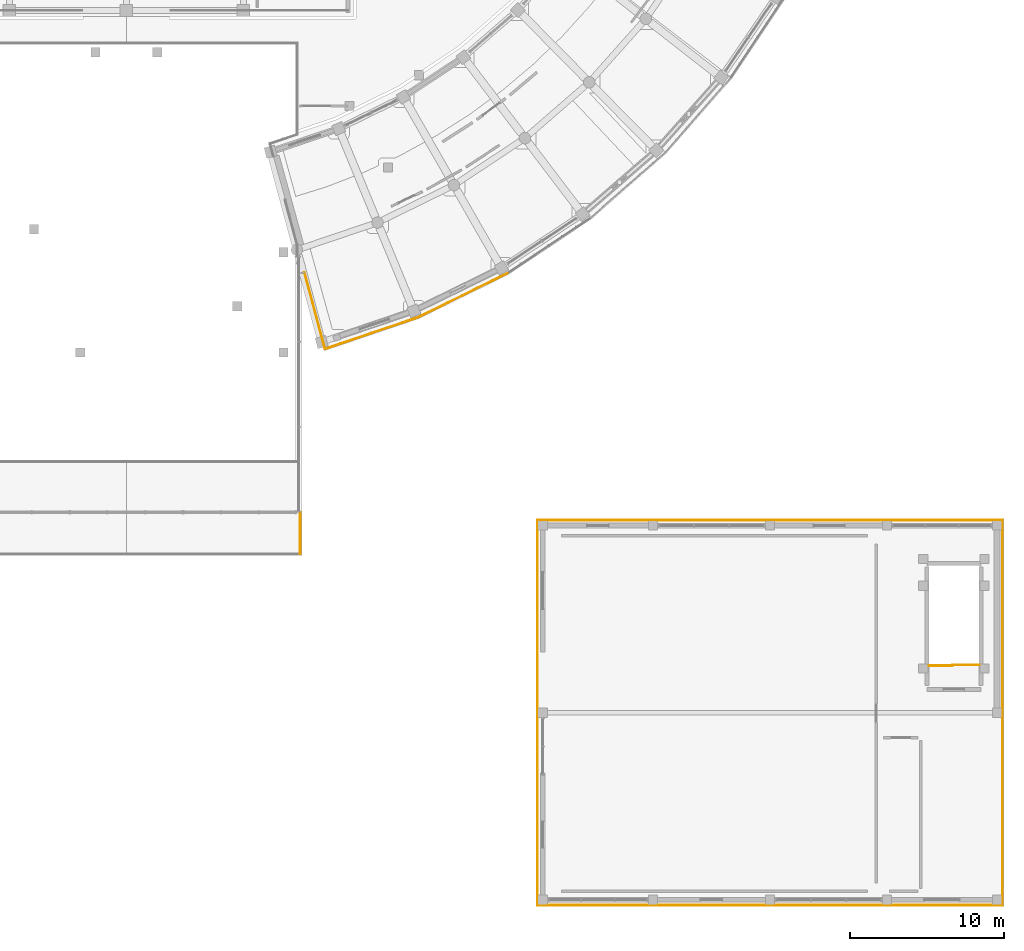
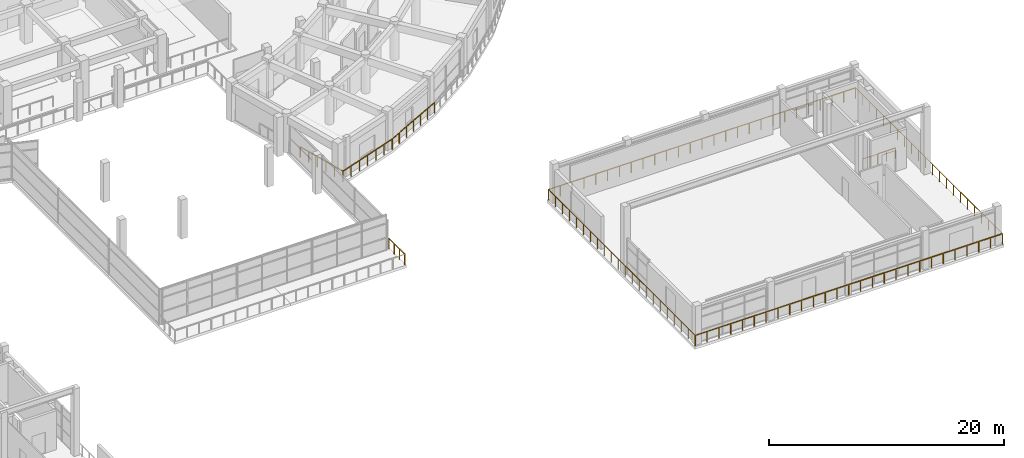
# One storey, part 72 of 87: 10 railings.
"""IFC4 building model written with IfcOpenShell, lengths in metres."""

from ifc_helpers import new_model, si_unit, direction, frame, origin, origin_2d, place, context, subcontext, project, spatial, rectangle, extrude, material, layer, layer_set, type_object, element, save


model = new_model("IFC4")

# Units and contexts
model_context = context("Model", 3, precision=1e-05, world=origin(), true_north=direction((0.0, 1.0)))
body_context = subcontext(model_context, "Body", "Model", "MODEL_VIEW")
ifc_project = project(units=[si_unit("LENGTHUNIT", "METRE"), si_unit("AREAUNIT", "SQUARE_METRE"), si_unit("VOLUMEUNIT", "CUBIC_METRE"), si_unit("PLANEANGLEUNIT", "RADIAN"), si_unit("MASSUNIT", "GRAM", prefix="KILO")], contexts=[model_context])

# Site, building, storey
site_placement = place(None, origin())
site = spatial("IfcSite", under=ifc_project, at=site_placement, CompositionType="ELEMENT")
building_placement = place(site_placement, origin())
building = spatial("IfcBuilding", under=site, at=building_placement, Name="Saryqyr Civic Hall", CompositionType="ELEMENT")
storey_placement = place(building_placement, frame((0.0, 0.0, 5.10009765625)))
storey = spatial("IfcBuildingStorey", under=building, at=storey_placement, Name="L01", CompositionType="ELEMENT", Elevation=5.10009765625)

# Railings
ifc_material = material(Name="Warm brushed brass and laminated glass", Category="glass")
ifc_layer = layer(ifc_material, 0.06005859375, Name="Warm brushed brass and laminated glass")
ifc_layer_set = layer_set([ifc_layer], Name="Warm brushed brass and laminated glass")
railing_type = type_object("IfcRailingType", Name="INT-RLG-BAL-1100", PredefinedType="BALUSTRADE", material=ifc_layer_set)
railing_1_placement = place(storey_placement, frame((112.39990234375, 15.699951171875, 0.0)))
element("IfcRailing", 1, at=railing_1_placement, inside=storey, type_object=railing_type, Name="L01 ST-8 top well guard 1", PredefinedType="BALUSTRADE", context=body_context, shape_type="SweptSolid", body=[
    extrude(rectangle(XDim=0.048095703125, YDim=0.048095703125, at=origin_2d()), frame((0.0, 0.0, 1.076171875), z_axis=(-1.0, 0.0, 0.0), x_axis=(0.0, -1.0, 0.0)), (0.0, 0.0, 1.0), 1.75),
    extrude(rectangle(XDim=0.0419921875, YDim=0.0419921875, at=origin_2d()), origin(), (0.0, 0.0, 1.0), 1.052001953125),
    extrude(rectangle(XDim=0.0419921875, YDim=0.0419921875, at=origin_2d()), frame((-0.875, 0.0, 0.0)), (0.0, 0.0, 1.0), 1.052001953125),
    extrude(rectangle(XDim=0.0419921875, YDim=0.0419921875, at=origin_2d()), frame((-1.75, 0.0, 0.0)), (0.0, 0.0, 1.0), 1.052001953125),
])
railing_2_placement = place(storey_placement, frame((113.89990234375, 25.10009765625, 0.0)))
element("IfcRailing", 2, at=railing_2_placement, inside=storey, type_object=railing_type, Name="Interior deck safety balustrade L01-001", PredefinedType="BALUSTRADE", context=body_context, shape_type="SweptSolid", body=[
    extrude(rectangle(XDim=0.048095703125, YDim=0.048095703125, at=origin_2d()), frame((0.0, 0.0, 1.09619140625), z_axis=(0.0, -1.0, 0.0), x_axis=(1.0, 0.0, 0.0)), (0.0, 0.0, 1.0), 25.0),
    extrude(rectangle(XDim=0.0419921875, YDim=0.0419921875, at=origin_2d()), origin(), (0.0, 0.0, 1.0), 1.072021484375),
    extrude(rectangle(XDim=0.0419921875, YDim=0.0419921875, at=origin_2d()), frame((0.0, -1.1904296875, 0.0)), (0.0, 0.0, 1.0), 1.072021484375),
    extrude(rectangle(XDim=0.0419921875, YDim=0.0419921875, at=origin_2d()), frame((0.0, -2.380859375, 0.0)), (0.0, 0.0, 1.0), 1.072021484375),
    extrude(rectangle(XDim=0.0419921875, YDim=0.0419921875, at=origin_2d()), frame((0.0, -3.571533203125, 0.0)), (0.0, 0.0, 1.0), 1.072021484375),
    extrude(rectangle(XDim=0.0419921875, YDim=0.0419921875, at=origin_2d()), frame((0.0, -4.761962890625, 0.0)), (0.0, 0.0, 1.0), 1.072021484375),
    extrude(rectangle(XDim=0.0419921875, YDim=0.0419921875, at=origin_2d()), frame((0.0, -5.952392578125, 0.0)), (0.0, 0.0, 1.0), 1.072021484375),
    extrude(rectangle(XDim=0.0419921875, YDim=0.0419921875, at=origin_2d()), frame((0.0, -7.142822265625, 0.0)), (0.0, 0.0, 1.0), 1.072021484375),
    extrude(rectangle(XDim=0.0419921875, YDim=0.0419921875, at=origin_2d()), frame((0.0, -8.333251953125, 0.0)), (0.0, 0.0, 1.0), 1.072021484375),
    extrude(rectangle(XDim=0.0419921875, YDim=0.0419921875, at=origin_2d()), frame((0.0, -9.52392578125, 0.0)), (0.0, 0.0, 1.0), 1.072021484375),
    extrude(rectangle(XDim=0.0419921875, YDim=0.0419921875, at=origin_2d()), frame((0.0, -10.71435546875, 0.0)), (0.0, 0.0, 1.0), 1.072021484375),
    extrude(rectangle(XDim=0.0419921875, YDim=0.0419921875, at=origin_2d()), frame((0.0, -11.90478515625, 0.0)), (0.0, 0.0, 1.0), 1.072021484375),
    extrude(rectangle(XDim=0.0419921875, YDim=0.0419921875, at=origin_2d()), frame((0.0, -13.09521484375, 0.0)), (0.0, 0.0, 1.0), 1.072021484375),
    extrude(rectangle(XDim=0.0419921875, YDim=0.0419921875, at=origin_2d()), frame((0.0, -14.28564453125, 0.0)), (0.0, 0.0, 1.0), 1.072021484375),
    extrude(rectangle(XDim=0.0419921875, YDim=0.0419921875, at=origin_2d()), frame((0.0, -15.47607421875, 0.0)), (0.0, 0.0, 1.0), 1.072021484375),
    extrude(rectangle(XDim=0.0419921875, YDim=0.0419921875, at=origin_2d()), frame((0.0, -16.666748046875, 0.0)), (0.0, 0.0, 1.0), 1.072021484375),
    extrude(rectangle(XDim=0.0419921875, YDim=0.0419921875, at=origin_2d()), frame((0.0, -17.857177734375, 0.0)), (0.0, 0.0, 1.0), 1.072021484375),
    extrude(rectangle(XDim=0.0419921875, YDim=0.0419921875, at=origin_2d()), frame((0.0, -19.047607421875, 0.0)), (0.0, 0.0, 1.0), 1.072021484375),
    extrude(rectangle(XDim=0.0419921875, YDim=0.0419921875, at=origin_2d()), frame((0.0, -20.238037109375, 0.0)), (0.0, 0.0, 1.0), 1.072021484375),
    extrude(rectangle(XDim=0.0419921875, YDim=0.0419921875, at=origin_2d()), frame((0.0, -21.428466796875, 0.0)), (0.0, 0.0, 1.0), 1.072021484375),
    extrude(rectangle(XDim=0.0419921875, YDim=0.0419921875, at=origin_2d()), frame((0.0, -22.619140625, 0.0)), (0.0, 0.0, 1.0), 1.072021484375),
    extrude(rectangle(XDim=0.0419921875, YDim=0.0419921875, at=origin_2d()), frame((0.0, -23.8095703125, 0.0)), (0.0, 0.0, 1.0), 1.072021484375),
    extrude(rectangle(XDim=0.0419921875, YDim=0.0419921875, at=origin_2d()), frame((0.0, -25.0, 0.0)), (0.0, 0.0, 1.0), 1.072021484375),
])
railing_3_placement = place(storey_placement, frame((113.89990234375, 0.10009765625, 0.0)))
element("IfcRailing", 3, at=railing_3_placement, inside=storey, type_object=railing_type, Name="Interior deck safety balustrade L01-002", PredefinedType="BALUSTRADE", context=body_context, shape_type="SweptSolid", body=[
    extrude(rectangle(XDim=0.048095703125, YDim=0.048095703125, at=origin_2d()), frame((0.0, 0.0, 1.09619140625), z_axis=(-1.0, 0.0, 0.0), x_axis=(0.0, -1.0, 0.0)), (0.0, 0.0, 1.0), 30.199951171875),
    extrude(rectangle(XDim=0.0419921875, YDim=0.0419921875, at=origin_2d()), origin(), (0.0, 0.0, 1.0), 1.072021484375),
    extrude(rectangle(XDim=0.0419921875, YDim=0.0419921875, at=origin_2d()), frame((-1.16162109375, 0.0, 0.0)), (0.0, 0.0, 1.0), 1.072021484375),
    extrude(rectangle(XDim=0.0419921875, YDim=0.0419921875, at=origin_2d()), frame((-2.322998046875, 0.0, 0.0)), (0.0, 0.0, 1.0), 1.072021484375),
    extrude(rectangle(XDim=0.0419921875, YDim=0.0419921875, at=origin_2d()), frame((-3.484619140625, 0.0, 0.0)), (0.0, 0.0, 1.0), 1.072021484375),
    extrude(rectangle(XDim=0.0419921875, YDim=0.0419921875, at=origin_2d()), frame((-4.646240234375, 0.0, 0.0)), (0.0, 0.0, 1.0), 1.072021484375),
    extrude(rectangle(XDim=0.0419921875, YDim=0.0419921875, at=origin_2d()), frame((-5.8076171875, 0.0, 0.0)), (0.0, 0.0, 1.0), 1.072021484375),
    extrude(rectangle(XDim=0.0419921875, YDim=0.0419921875, at=origin_2d()), frame((-6.96923828125, 0.0, 0.0)), (0.0, 0.0, 1.0), 1.072021484375),
    extrude(rectangle(XDim=0.0419921875, YDim=0.0419921875, at=origin_2d()), frame((-8.130859375, 0.0, 0.0)), (0.0, 0.0, 1.0), 1.072021484375),
    extrude(rectangle(XDim=0.0419921875, YDim=0.0419921875, at=origin_2d()), frame((-9.292236328125, 0.0, 0.0)), (0.0, 0.0, 1.0), 1.072021484375),
    extrude(rectangle(XDim=0.0419921875, YDim=0.0419921875, at=origin_2d()), frame((-10.453857421875, 0.0, 0.0)), (0.0, 0.0, 1.0), 1.072021484375),
    extrude(rectangle(XDim=0.0419921875, YDim=0.0419921875, at=origin_2d()), frame((-11.615478515625, 0.0, 0.0)), (0.0, 0.0, 1.0), 1.072021484375),
    extrude(rectangle(XDim=0.0419921875, YDim=0.0419921875, at=origin_2d()), frame((-12.77685546875, 0.0, 0.0)), (0.0, 0.0, 1.0), 1.072021484375),
    extrude(rectangle(XDim=0.0419921875, YDim=0.0419921875, at=origin_2d()), frame((-13.9384765625, 0.0, 0.0)), (0.0, 0.0, 1.0), 1.072021484375),
    extrude(rectangle(XDim=0.0419921875, YDim=0.0419921875, at=origin_2d()), frame((-15.10009765625, 0.0, 0.0)), (0.0, 0.0, 1.0), 1.072021484375),
    extrude(rectangle(XDim=0.0419921875, YDim=0.0419921875, at=origin_2d()), frame((-16.261474609375, 0.0, 0.0)), (0.0, 0.0, 1.0), 1.072021484375),
    extrude(rectangle(XDim=0.0419921875, YDim=0.0419921875, at=origin_2d()), frame((-17.423095703125, 0.0, 0.0)), (0.0, 0.0, 1.0), 1.072021484375),
    extrude(rectangle(XDim=0.0419921875, YDim=0.0419921875, at=origin_2d()), frame((-18.58447265625, 0.0, 0.0)), (0.0, 0.0, 1.0), 1.072021484375),
    extrude(rectangle(XDim=0.0419921875, YDim=0.0419921875, at=origin_2d()), frame((-19.74609375, 0.0, 0.0)), (0.0, 0.0, 1.0), 1.072021484375),
    extrude(rectangle(XDim=0.0419921875, YDim=0.0419921875, at=origin_2d()), frame((-20.90771484375, 0.0, 0.0)), (0.0, 0.0, 1.0), 1.072021484375),
    extrude(rectangle(XDim=0.0419921875, YDim=0.0419921875, at=origin_2d()), frame((-22.069091796875, 0.0, 0.0)), (0.0, 0.0, 1.0), 1.072021484375),
    extrude(rectangle(XDim=0.0419921875, YDim=0.0419921875, at=origin_2d()), frame((-23.230712890625, 0.0, 0.0)), (0.0, 0.0, 1.0), 1.072021484375),
    extrude(rectangle(XDim=0.0419921875, YDim=0.0419921875, at=origin_2d()), frame((-24.392333984375, 0.0, 0.0)), (0.0, 0.0, 1.0), 1.072021484375),
    extrude(rectangle(XDim=0.0419921875, YDim=0.0419921875, at=origin_2d()), frame((-25.5537109375, 0.0, 0.0)), (0.0, 0.0, 1.0), 1.072021484375),
    extrude(rectangle(XDim=0.0419921875, YDim=0.0419921875, at=origin_2d()), frame((-26.71533203125, 0.0, 0.0)), (0.0, 0.0, 1.0), 1.072021484375),
    extrude(rectangle(XDim=0.0419921875, YDim=0.0419921875, at=origin_2d()), frame((-27.876953125, 0.0, 0.0)), (0.0, 0.0, 1.0), 1.072021484375),
    extrude(rectangle(XDim=0.0419921875, YDim=0.0419921875, at=origin_2d()), frame((-29.038330078125, 0.0, 0.0)), (0.0, 0.0, 1.0), 1.072021484375),
    extrude(rectangle(XDim=0.0419921875, YDim=0.0419921875, at=origin_2d()), frame((-30.199951171875, 0.0, 0.0)), (0.0, 0.0, 1.0), 1.072021484375),
])
railing_4_placement = place(storey_placement, frame((83.699951171875, 0.10009765625, 0.0)))
element("IfcRailing", 4, at=railing_4_placement, inside=storey, type_object=railing_type, Name="Interior deck safety balustrade L01-003", PredefinedType="BALUSTRADE", context=body_context, shape_type="SweptSolid", body=[
    extrude(rectangle(XDim=0.048095703125, YDim=0.048095703125, at=origin_2d()), frame((0.0, 0.0, 1.09619140625), z_axis=(0.0, 1.0, 0.0), x_axis=(-1.0, 0.0, 0.0)), (0.0, 0.0, 1.0), 25.0),
    extrude(rectangle(XDim=0.0419921875, YDim=0.0419921875, at=origin_2d()), origin(), (0.0, 0.0, 1.0), 1.072021484375),
    extrude(rectangle(XDim=0.0419921875, YDim=0.0419921875, at=origin_2d()), frame((0.0, 1.1904296875, 0.0)), (0.0, 0.0, 1.0), 1.072021484375),
    extrude(rectangle(XDim=0.0419921875, YDim=0.0419921875, at=origin_2d()), frame((0.0, 2.380859375, 0.0)), (0.0, 0.0, 1.0), 1.072021484375),
    extrude(rectangle(XDim=0.0419921875, YDim=0.0419921875, at=origin_2d()), frame((0.0, 3.571533203125, 0.0)), (0.0, 0.0, 1.0), 1.072021484375),
    extrude(rectangle(XDim=0.0419921875, YDim=0.0419921875, at=origin_2d()), frame((0.0, 4.761962890625, 0.0)), (0.0, 0.0, 1.0), 1.072021484375),
    extrude(rectangle(XDim=0.0419921875, YDim=0.0419921875, at=origin_2d()), frame((0.0, 5.952392578125, 0.0)), (0.0, 0.0, 1.0), 1.072021484375),
    extrude(rectangle(XDim=0.0419921875, YDim=0.0419921875, at=origin_2d()), frame((0.0, 7.142822265625, 0.0)), (0.0, 0.0, 1.0), 1.072021484375),
    extrude(rectangle(XDim=0.0419921875, YDim=0.0419921875, at=origin_2d()), frame((0.0, 8.333251953125, 0.0)), (0.0, 0.0, 1.0), 1.072021484375),
    extrude(rectangle(XDim=0.0419921875, YDim=0.0419921875, at=origin_2d()), frame((0.0, 9.52392578125, 0.0)), (0.0, 0.0, 1.0), 1.072021484375),
    extrude(rectangle(XDim=0.0419921875, YDim=0.0419921875, at=origin_2d()), frame((0.0, 10.71435546875, 0.0)), (0.0, 0.0, 1.0), 1.072021484375),
    extrude(rectangle(XDim=0.0419921875, YDim=0.0419921875, at=origin_2d()), frame((0.0, 11.90478515625, 0.0)), (0.0, 0.0, 1.0), 1.072021484375),
    extrude(rectangle(XDim=0.0419921875, YDim=0.0419921875, at=origin_2d()), frame((0.0, 13.09521484375, 0.0)), (0.0, 0.0, 1.0), 1.072021484375),
    extrude(rectangle(XDim=0.0419921875, YDim=0.0419921875, at=origin_2d()), frame((0.0, 14.28564453125, 0.0)), (0.0, 0.0, 1.0), 1.072021484375),
    extrude(rectangle(XDim=0.0419921875, YDim=0.0419921875, at=origin_2d()), frame((0.0, 15.47607421875, 0.0)), (0.0, 0.0, 1.0), 1.072021484375),
    extrude(rectangle(XDim=0.0419921875, YDim=0.0419921875, at=origin_2d()), frame((0.0, 16.666748046875, 0.0)), (0.0, 0.0, 1.0), 1.072021484375),
    extrude(rectangle(XDim=0.0419921875, YDim=0.0419921875, at=origin_2d()), frame((0.0, 17.857177734375, 0.0)), (0.0, 0.0, 1.0), 1.072021484375),
    extrude(rectangle(XDim=0.0419921875, YDim=0.0419921875, at=origin_2d()), frame((0.0, 19.047607421875, 0.0)), (0.0, 0.0, 1.0), 1.072021484375),
    extrude(rectangle(XDim=0.0419921875, YDim=0.0419921875, at=origin_2d()), frame((0.0, 20.238037109375, 0.0)), (0.0, 0.0, 1.0), 1.072021484375),
    extrude(rectangle(XDim=0.0419921875, YDim=0.0419921875, at=origin_2d()), frame((0.0, 21.428466796875, 0.0)), (0.0, 0.0, 1.0), 1.072021484375),
    extrude(rectangle(XDim=0.0419921875, YDim=0.0419921875, at=origin_2d()), frame((0.0, 22.619140625, 0.0)), (0.0, 0.0, 1.0), 1.072021484375),
    extrude(rectangle(XDim=0.0419921875, YDim=0.0419921875, at=origin_2d()), frame((0.0, 23.8095703125, 0.0)), (0.0, 0.0, 1.0), 1.072021484375),
    extrude(rectangle(XDim=0.0419921875, YDim=0.0419921875, at=origin_2d()), frame((0.0, 25.0, 0.0)), (0.0, 0.0, 1.0), 1.072021484375),
])
railing_5_placement = place(storey_placement, frame((83.699951171875, 25.10009765625, 0.0)))
element("IfcRailing", 5, at=railing_5_placement, inside=storey, type_object=railing_type, Name="Interior deck safety balustrade L01-004", PredefinedType="BALUSTRADE", context=body_context, shape_type="SweptSolid", body=[
    extrude(rectangle(XDim=0.048095703125, YDim=0.048095703125, at=origin_2d()), frame((0.0, 0.0, 1.09619140625), z_axis=(1.0, 0.0, 0.0), x_axis=(0.0, 1.0, 0.0)), (0.0, 0.0, 1.0), 30.199951171875),
    extrude(rectangle(XDim=0.0419921875, YDim=0.0419921875, at=origin_2d()), origin(), (0.0, 0.0, 1.0), 1.072021484375),
    extrude(rectangle(XDim=0.0419921875, YDim=0.0419921875, at=origin_2d()), frame((1.16162109375, 0.0, 0.0)), (0.0, 0.0, 1.0), 1.072021484375),
    extrude(rectangle(XDim=0.0419921875, YDim=0.0419921875, at=origin_2d()), frame((2.322998046875, 0.0, 0.0)), (0.0, 0.0, 1.0), 1.072021484375),
    extrude(rectangle(XDim=0.0419921875, YDim=0.0419921875, at=origin_2d()), frame((3.484619140625, 0.0, 0.0)), (0.0, 0.0, 1.0), 1.072021484375),
    extrude(rectangle(XDim=0.0419921875, YDim=0.0419921875, at=origin_2d()), frame((4.646240234375, 0.0, 0.0)), (0.0, 0.0, 1.0), 1.072021484375),
    extrude(rectangle(XDim=0.0419921875, YDim=0.0419921875, at=origin_2d()), frame((5.8076171875, 0.0, 0.0)), (0.0, 0.0, 1.0), 1.072021484375),
    extrude(rectangle(XDim=0.0419921875, YDim=0.0419921875, at=origin_2d()), frame((6.96923828125, 0.0, 0.0)), (0.0, 0.0, 1.0), 1.072021484375),
    extrude(rectangle(XDim=0.0419921875, YDim=0.0419921875, at=origin_2d()), frame((8.130859375, 0.0, 0.0)), (0.0, 0.0, 1.0), 1.072021484375),
    extrude(rectangle(XDim=0.0419921875, YDim=0.0419921875, at=origin_2d()), frame((9.292236328125, 0.0, 0.0)), (0.0, 0.0, 1.0), 1.072021484375),
    extrude(rectangle(XDim=0.0419921875, YDim=0.0419921875, at=origin_2d()), frame((10.453857421875, 0.0, 0.0)), (0.0, 0.0, 1.0), 1.072021484375),
    extrude(rectangle(XDim=0.0419921875, YDim=0.0419921875, at=origin_2d()), frame((11.615478515625, 0.0, 0.0)), (0.0, 0.0, 1.0), 1.072021484375),
    extrude(rectangle(XDim=0.0419921875, YDim=0.0419921875, at=origin_2d()), frame((12.77685546875, 0.0, 0.0)), (0.0, 0.0, 1.0), 1.072021484375),
    extrude(rectangle(XDim=0.0419921875, YDim=0.0419921875, at=origin_2d()), frame((13.9384765625, 0.0, 0.0)), (0.0, 0.0, 1.0), 1.072021484375),
    extrude(rectangle(XDim=0.0419921875, YDim=0.0419921875, at=origin_2d()), frame((15.10009765625, 0.0, 0.0)), (0.0, 0.0, 1.0), 1.072021484375),
    extrude(rectangle(XDim=0.0419921875, YDim=0.0419921875, at=origin_2d()), frame((16.261474609375, 0.0, 0.0)), (0.0, 0.0, 1.0), 1.072021484375),
    extrude(rectangle(XDim=0.0419921875, YDim=0.0419921875, at=origin_2d()), frame((17.423095703125, 0.0, 0.0)), (0.0, 0.0, 1.0), 1.072021484375),
    extrude(rectangle(XDim=0.0419921875, YDim=0.0419921875, at=origin_2d()), frame((18.58447265625, 0.0, 0.0)), (0.0, 0.0, 1.0), 1.072021484375),
    extrude(rectangle(XDim=0.0419921875, YDim=0.0419921875, at=origin_2d()), frame((19.74609375, 0.0, 0.0)), (0.0, 0.0, 1.0), 1.072021484375),
    extrude(rectangle(XDim=0.0419921875, YDim=0.0419921875, at=origin_2d()), frame((20.90771484375, 0.0, 0.0)), (0.0, 0.0, 1.0), 1.072021484375),
    extrude(rectangle(XDim=0.0419921875, YDim=0.0419921875, at=origin_2d()), frame((22.069091796875, 0.0, 0.0)), (0.0, 0.0, 1.0), 1.072021484375),
    extrude(rectangle(XDim=0.0419921875, YDim=0.0419921875, at=origin_2d()), frame((23.230712890625, 0.0, 0.0)), (0.0, 0.0, 1.0), 1.072021484375),
    extrude(rectangle(XDim=0.0419921875, YDim=0.0419921875, at=origin_2d()), frame((24.392333984375, 0.0, 0.0)), (0.0, 0.0, 1.0), 1.072021484375),
    extrude(rectangle(XDim=0.0419921875, YDim=0.0419921875, at=origin_2d()), frame((25.5537109375, 0.0, 0.0)), (0.0, 0.0, 1.0), 1.072021484375),
    extrude(rectangle(XDim=0.0419921875, YDim=0.0419921875, at=origin_2d()), frame((26.71533203125, 0.0, 0.0)), (0.0, 0.0, 1.0), 1.072021484375),
    extrude(rectangle(XDim=0.0419921875, YDim=0.0419921875, at=origin_2d()), frame((27.876953125, 0.0, 0.0)), (0.0, 0.0, 1.0), 1.072021484375),
    extrude(rectangle(XDim=0.0419921875, YDim=0.0419921875, at=origin_2d()), frame((29.038330078125, 0.0, 0.0)), (0.0, 0.0, 1.0), 1.072021484375),
    extrude(rectangle(XDim=0.0419921875, YDim=0.0419921875, at=origin_2d()), frame((30.199951171875, 0.0, 0.0)), (0.0, 0.0, 1.0), 1.072021484375),
])
railing_6_placement = place(storey_placement, frame((109.14501953125, 15.64990234375, 0.0)))
element("IfcRailing", 6, at=railing_6_placement, inside=storey, type_object=railing_type, Name="Interior deck safety balustrade L01-005", PredefinedType="BALUSTRADE", context=body_context, shape_type="SweptSolid", body=[
    extrude(rectangle(XDim=0.048095703125, YDim=0.048095703125, at=origin_2d()), frame((0.0, 0.0, 1.09619140625), z_axis=(1.0, 0.0, 0.0), x_axis=(0.0, 1.0, 0.0)), (0.0, 0.0, 1.0), 1.5048828125),
    extrude(rectangle(XDim=0.0419921875, YDim=0.0419921875, at=origin_2d()), origin(), (0.0, 0.0, 1.0), 1.072021484375),
    extrude(rectangle(XDim=0.0419921875, YDim=0.0419921875, at=origin_2d()), frame((0.75244140625, 0.0, 0.0)), (0.0, 0.0, 1.0), 1.072021484375),
    extrude(rectangle(XDim=0.0419921875, YDim=0.0419921875, at=origin_2d()), frame((1.5048828125, 0.0, 0.0)), (0.0, 0.0, 1.0), 1.072021484375),
])
railing_7_placement = place(storey_placement, frame((81.75, 41.1318359375, 0.0)))
element("IfcRailing", 7, at=railing_7_placement, inside=storey, type_object=railing_type, Name="Interior deck safety balustrade L01-050", PredefinedType="BALUSTRADE", context=body_context, shape_type="SweptSolid", body=[
    extrude(rectangle(XDim=0.048095703125, YDim=0.048095703125, at=origin_2d()), frame((0.0, 0.0, 1.09619140625), z_axis=(-0.89689443152, -0.442244704557, 0.0), x_axis=(0.442244704557, -0.89689443152, 0.0)), (0.0, 0.0, 1.0), 6.47509765625),
    extrude(rectangle(XDim=0.0419921875, YDim=0.0419921875, at=origin_2d()), origin(), (0.0, 0.0, 1.0), 1.072021484375),
    extrude(rectangle(XDim=0.0419921875, YDim=0.0419921875, at=origin_2d()), frame((-0.9677734375, -0.477294921875, 0.0)), (0.0, 0.0, 1.0), 1.072021484375),
    extrude(rectangle(XDim=0.0419921875, YDim=0.0419921875, at=origin_2d()), frame((-1.935791015625, -0.95458984375, 0.0)), (0.0, 0.0, 1.0), 1.072021484375),
    extrude(rectangle(XDim=0.0419921875, YDim=0.0419921875, at=origin_2d()), frame((-2.90380859375, -1.431640625, 0.0)), (0.0, 0.0, 1.0), 1.072021484375),
    extrude(rectangle(XDim=0.0419921875, YDim=0.0419921875, at=origin_2d()), frame((-3.87158203125, -1.908935546875, 0.0)), (0.0, 0.0, 1.0), 1.072021484375),
    extrude(rectangle(XDim=0.0419921875, YDim=0.0419921875, at=origin_2d()), frame((-4.83935546875, -2.38623046875, 0.0)), (0.0, 0.0, 1.0), 1.072021484375),
    extrude(rectangle(XDim=0.0419921875, YDim=0.0419921875, at=origin_2d()), frame((-5.807373046875, -2.863525390625, 0.0)), (0.0, 0.0, 1.0), 1.072021484375),
])
railing_8_placement = place(storey_placement, frame((75.942626953125, 38.268310546875, 0.0)))
element("IfcRailing", 8, at=railing_8_placement, inside=storey, type_object=railing_type, Name="Interior deck safety balustrade L01-051", PredefinedType="BALUSTRADE", context=body_context, shape_type="SweptSolid", body=[
    extrude(rectangle(XDim=0.048095703125, YDim=0.048095703125, at=origin_2d()), frame((0.0, 0.0, 1.09619140625), z_axis=(-0.946914589927, -0.321485239761, 0.0), x_axis=(0.321485239761, -0.946914589927, 0.0)), (0.0, 0.0, 1.0), 6.37451171875),
    extrude(rectangle(XDim=0.0419921875, YDim=0.0419921875, at=origin_2d()), origin(), (0.0, 0.0, 1.0), 1.072021484375),
    extrude(rectangle(XDim=0.0419921875, YDim=0.0419921875, at=origin_2d()), frame((-1.006103515625, -0.341552734375, 0.0)), (0.0, 0.0, 1.0), 1.072021484375),
    extrude(rectangle(XDim=0.0419921875, YDim=0.0419921875, at=origin_2d()), frame((-2.011962890625, -0.68310546875, 0.0)), (0.0, 0.0, 1.0), 1.072021484375),
    extrude(rectangle(XDim=0.0419921875, YDim=0.0419921875, at=origin_2d()), frame((-3.01806640625, -1.024658203125, 0.0)), (0.0, 0.0, 1.0), 1.072021484375),
    extrude(rectangle(XDim=0.0419921875, YDim=0.0419921875, at=origin_2d()), frame((-4.024169921875, -1.3662109375, 0.0)), (0.0, 0.0, 1.0), 1.072021484375),
    extrude(rectangle(XDim=0.0419921875, YDim=0.0419921875, at=origin_2d()), frame((-5.030029296875, -1.707763671875, 0.0)), (0.0, 0.0, 1.0), 1.072021484375),
    extrude(rectangle(XDim=0.0419921875, YDim=0.0419921875, at=origin_2d()), frame((-6.0361328125, -2.04931640625, 0.0)), (0.0, 0.0, 1.0), 1.072021484375),
])
railing_9_placement = place(storey_placement, frame((69.906494140625, 36.218994140625, 0.0)))
element("IfcRailing", 9, at=railing_9_placement, inside=storey, type_object=railing_type, Name="Interior deck safety balustrade L01-052", PredefinedType="BALUSTRADE", context=body_context, shape_type="SweptSolid", body=[
    extrude(rectangle(XDim=0.048095703125, YDim=0.048095703125, at=origin_2d()), frame((0.0, 0.0, 1.09619140625), z_axis=(-0.258823044347, 0.965924754686, 0.0), x_axis=(-0.965924754686, -0.258823044347, 0.0)), (0.0, 0.0, 1.0), 5.1455078125),
    extrude(rectangle(XDim=0.0419921875, YDim=0.0419921875, at=origin_2d()), origin(), (0.0, 0.0, 1.0), 1.072021484375),
    extrude(rectangle(XDim=0.0419921875, YDim=0.0419921875, at=origin_2d()), frame((-0.266357421875, 0.994140625, 0.0)), (0.0, 0.0, 1.0), 1.072021484375),
    extrude(rectangle(XDim=0.0419921875, YDim=0.0419921875, at=origin_2d()), frame((-0.53271484375, 1.988037109375, 0.0)), (0.0, 0.0, 1.0), 1.072021484375),
    extrude(rectangle(XDim=0.0419921875, YDim=0.0419921875, at=origin_2d()), frame((-0.799072265625, 2.982177734375, 0.0)), (0.0, 0.0, 1.0), 1.072021484375),
    extrude(rectangle(XDim=0.0419921875, YDim=0.0419921875, at=origin_2d()), frame((-1.0654296875, 3.97607421875, 0.0)), (0.0, 0.0, 1.0), 1.072021484375),
    extrude(rectangle(XDim=0.0419921875, YDim=0.0419921875, at=origin_2d()), frame((-1.331787109375, 4.97021484375, 0.0)), (0.0, 0.0, 1.0), 1.072021484375),
])
railing_10_placement = place(storey_placement, frame((68.300048828125, 25.610107421875, 0.0)))
element("IfcRailing", 10, at=railing_10_placement, inside=storey, type_object=railing_type, Name="Interior deck safety balustrade L01-054", PredefinedType="BALUSTRADE", context=body_context, shape_type="SweptSolid", body=[
    extrude(rectangle(XDim=0.048095703125, YDim=0.048095703125, at=origin_2d()), frame((0.0, 0.0, 1.09619140625), z_axis=(0.0, -1.0, 0.0), x_axis=(1.0, 0.0, 0.0)), (0.0, 0.0, 1.0), 2.710205078125),
    extrude(rectangle(XDim=0.0419921875, YDim=0.0419921875, at=origin_2d()), origin(), (0.0, 0.0, 1.0), 1.072021484375),
    extrude(rectangle(XDim=0.0419921875, YDim=0.0419921875, at=origin_2d()), frame((0.0, -0.9033203125, 0.0)), (0.0, 0.0, 1.0), 1.072021484375),
    extrude(rectangle(XDim=0.0419921875, YDim=0.0419921875, at=origin_2d()), frame((0.0, -1.806884765625, 0.0)), (0.0, 0.0, 1.0), 1.072021484375),
    extrude(rectangle(XDim=0.0419921875, YDim=0.0419921875, at=origin_2d()), frame((0.0, -2.710205078125, 0.0)), (0.0, 0.0, 1.0), 1.072021484375),
])

save(model, "model.ifc")
